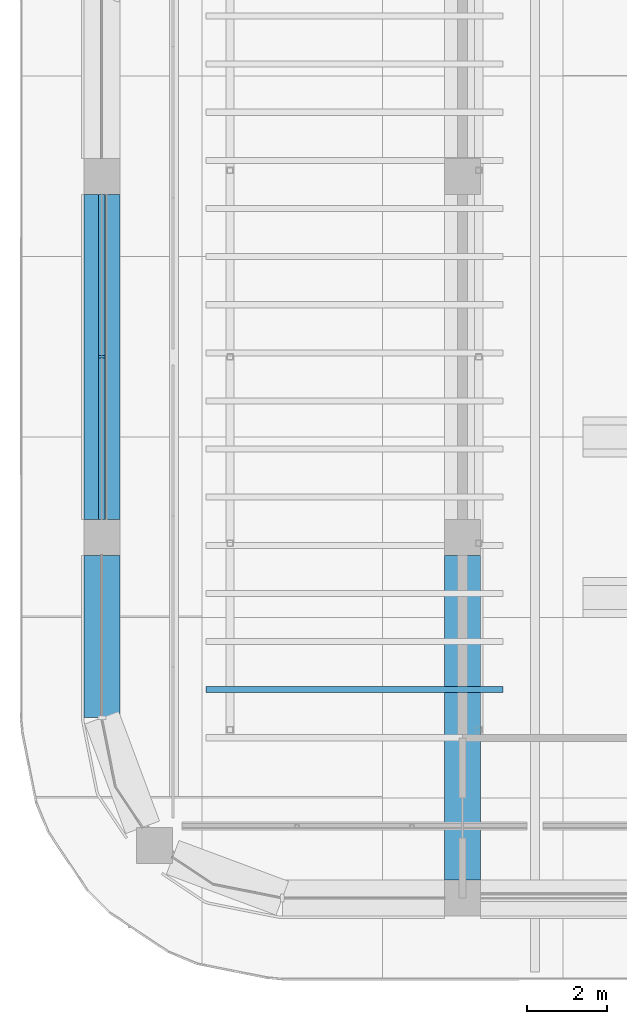
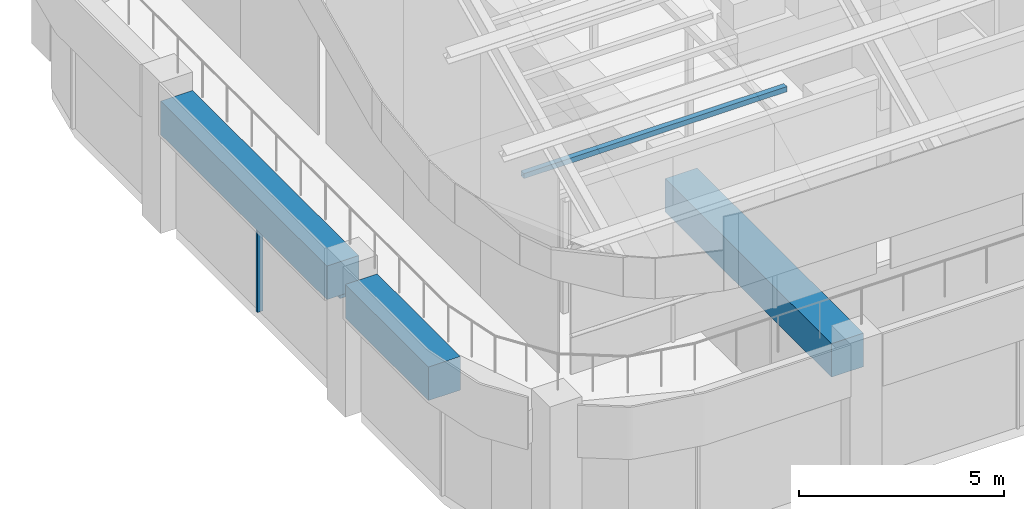
# One storey, part 7 of 31: 3 beams, 3 members, 1 element without a shape of its own.
"""IFC4 building model written with IfcOpenShell, lengths in metres."""

from ifc_helpers import new_model, si_unit, direction, frame, origin, origin_2d, place, context, subcontext, project, spatial, rectangle, hollow_rectangle, extrude, material, material_profile, profile_set, type_object, element, aggregate, save


model = new_model("IFC4")

# Units and contexts
model_context = context("Model", 3, precision=1e-05, world=origin(), true_north=direction((0.0, 1.0)))
body_context = subcontext(model_context, "Body", "Model", "MODEL_VIEW")
ifc_project = project(units=[si_unit("LENGTHUNIT", "METRE"), si_unit("AREAUNIT", "SQUARE_METRE"), si_unit("VOLUMEUNIT", "CUBIC_METRE"), si_unit("PLANEANGLEUNIT", "RADIAN"), si_unit("MASSUNIT", "GRAM", prefix="KILO")], contexts=[model_context])

# Site, building, storey
site_placement = place(None, origin())
site = spatial("IfcSite", under=ifc_project, at=site_placement, CompositionType="ELEMENT")
building_placement = place(site_placement, origin())
building = spatial("IfcBuilding", under=site, at=building_placement, Name="Tessera Arch", CompositionType="ELEMENT")
storey_placement = place(building_placement, frame((0.0, 0.0, 320.699951171875)))
storey = spatial("IfcBuildingStorey", under=building, at=storey_placement, Name="L77", CompositionType="ELEMENT", Elevation=320.699951171875)

# Curtain wall, members
ifc_material_1 = material(Name="CW1 curtain wall")
curtain_wall_type = type_object("IfcCurtainWallType", Name="CW1 curtain wall", PredefinedType="NOTDEFINED", material=ifc_material_1)
curtain_wall_placement = place(storey_placement, origin())
curtain_wall = element("IfcCurtainWall", 1, at=curtain_wall_placement, inside=storey, type_object=curtain_wall_type, Name="CW1 curtain wall W18.27/1 L77", PredefinedType="NOTDEFINED")
ifc_material_2 = material(Name="Anodised aluminium pale metal", Category="aluminium")
ifc_material_profile_1 = material_profile(ifc_material_2, rectangle(XDim=0.159912109375, YDim=0.06005859375, at=origin_2d()), Name="AL 60x160")
ifc_profile_set_1 = profile_set([ifc_material_profile_1], Name="Anodised aluminium pale metal")
member_type_1 = type_object("IfcMemberType", Name="CW1 mullion", PredefinedType="MULLION", material=ifc_profile_set_1)
member_1_placement = place(storey_placement, frame((18.0, 40.5, 0.0), z_axis=(0.0, 0.0, 1.0), x_axis=(1.0, 0.0, 0.0)))
member_1 = element("IfcMember", 2, at=member_1_placement, type_object=member_type_1, Name="CW1 mullion W18.27/1 1", PredefinedType="MULLION", context=body_context, shape_type="SweptSolid", body=[
    extrude(rectangle(XDim=0.159912109375, YDim=0.06005859375, at=origin_2d()), origin(), (0.0, 0.0, 1.0), 2.85009765625),
])
ifc_material_3 = material(Name="Anodised aluminium pale metal", Category="aluminium")
ifc_material_profile_2 = material_profile(ifc_material_3, rectangle(XDim=0.159912109375, YDim=0.10009765625, at=origin_2d()), Name="AL 160x100")
ifc_profile_set_2 = profile_set([ifc_material_profile_2], Name="Anodised aluminium pale metal")
member_type_2 = type_object("IfcMemberType", Name="CW1 transom", PredefinedType="USERDEFINED", material=ifc_profile_set_2)
member_2_placement = place(storey_placement, frame((18.0, 44.550048828125, 2.900146484375), z_axis=(0.0, -1.0, 0.0), x_axis=(1.0, 0.0, 0.0)))
member_2 = element("IfcMember", 3, at=member_2_placement, type_object=member_type_2, Name="CW1 transom W18.27/1 1.1", ObjectType="TRANSOM", PredefinedType="USERDEFINED", context=body_context, shape_type="SweptSolid", body=[
    extrude(rectangle(XDim=0.159912109375, YDim=0.10009765625, at=origin_2d()), origin(), (0.0, 0.0, 1.0), 8.10009765625),
])
aggregate(curtain_wall, [member_1, member_2])

# Member
ifc_material_4 = material(Name="Steel A500 Gr C", Category="steel")
ifc_material_profile_3 = material_profile(ifc_material_4, hollow_rectangle(XDim=0.15234375, YDim=0.15234375, WallThickness=0.005859375, at=origin_2d()), Name="HSS6x6x1/4")
ifc_profile_set_3 = profile_set([ifc_material_profile_3], Name="Steel A500 Gr C")
member_type_3 = type_object("IfcMemberType", Name="Pergola rafter HSS6x6x1/4", PredefinedType="RAFTER", material=ifc_profile_set_3)
member_3_placement = place(storey_placement, frame((20.60009765625, 32.199951171875, 8.179443359375), z_axis=(1.0, 0.0, 0.0), x_axis=(0.0, 1.0, 0.0)))
element("IfcMember", 4, at=member_3_placement, inside=storey, type_object=member_type_3, Name="Pergola rafter 2", PredefinedType="RAFTER", context=body_context, shape_type="SweptSolid", body=[
    extrude(hollow_rectangle(XDim=0.15234375, YDim=0.15234375, WallThickness=0.005859375, at=origin_2d()), origin(), (0.0, 0.0, 1.0), 7.39990234375),
])

# Beams
ifc_material_5 = material(Name="Concrete C50/60", Category="concrete")
ifc_material_profile_4 = material_profile(ifc_material_5, rectangle(XDim=0.89990234375, YDim=1.0, at=origin_2d()), Name="RC spandrel beam 900 x 1000 Concrete C50/60")
ifc_profile_set_4 = profile_set([ifc_material_profile_4], Name="Concrete C50/60")
beam_type = type_object("IfcBeamType", Name="RC spandrel beam 900 x 1000 Concrete C50/60", PredefinedType="BEAM", material=ifc_profile_set_4)
beam_1_placement = place(storey_placement, frame((18.0, 44.550048828125, 3.449951171875), z_axis=(0.0, -1.0, 0.0), x_axis=(1.0, 0.0, 0.0)))
element("IfcBeam", 5, at=beam_1_placement, inside=storey, type_object=beam_type, Name="Spandrel beam L77 W18.27/1", PredefinedType="BEAM", context=body_context, shape_type="SweptSolid", body=[
    extrude(rectangle(XDim=0.89990234375, YDim=1.0, at=origin_2d()), origin(), (0.0, 0.0, 1.0), 8.10009765625),
])
beam_2_placement = place(storey_placement, frame((18.0, 35.550048828125, 3.449951171875), z_axis=(0.0, -1.0, 0.0), x_axis=(1.0, 0.0, 0.0)))
element("IfcBeam", 6, at=beam_2_placement, inside=storey, type_object=beam_type, Name="Spandrel beam L77 W18.27/2.1", PredefinedType="BEAM", context=body_context, shape_type="SweptSolid", body=[
    extrude(rectangle(XDim=0.89990234375, YDim=1.0, at=origin_2d()), origin(), (0.0, 0.0, 1.0), 4.050048828125),
])
beam_3_placement = place(storey_placement, frame((27.0, 27.449951171875, 3.449951171875), z_axis=(0.0, 1.0, 0.0), x_axis=(-1.0, 0.0, 0.0)))
element("IfcBeam", 7, at=beam_3_placement, inside=storey, type_object=beam_type, Name="Interface beam L77 I0C4D-C4E", PredefinedType="BEAM", context=body_context, shape_type="SweptSolid", body=[
    extrude(rectangle(XDim=0.89990234375, YDim=1.0, at=origin_2d()), origin(), (0.0, 0.0, 1.0), 8.10009765625),
])

save(model, "model.ifc")
